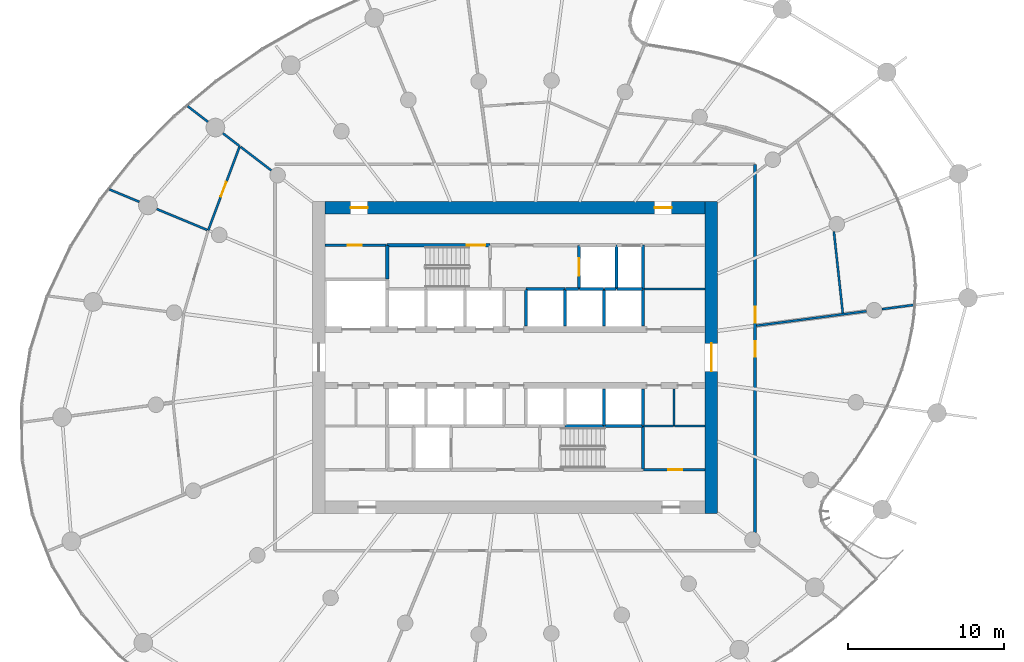
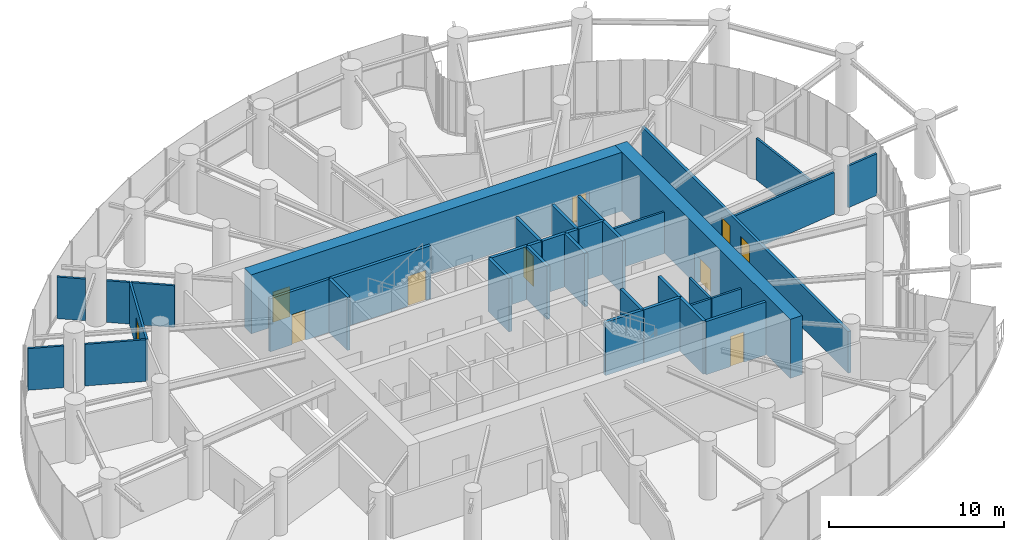
# One storey, part 16 of 21: 37 walls, 10 doors, 10 openings.
"""IFC4 building model written with IfcOpenShell, lengths in metres."""

from ifc_helpers import new_model, si_unit, direction, frame, frame_2d, origin, place, context, subcontext, project, spatial, rectangle, extrude, source, transform, mapped, material, layer, layer_set, type_object, element, fill, save


model = new_model("IFC4")

# Units and contexts
model_context = context("Model", 3, precision=1e-05, world=origin(), true_north=direction((0.0, 1.0)))
body_context = subcontext(model_context, "Body", "Model", "MODEL_VIEW")
ifc_project = project(units=[si_unit("LENGTHUNIT", "METRE"), si_unit("AREAUNIT", "SQUARE_METRE"), si_unit("VOLUMEUNIT", "CUBIC_METRE"), si_unit("PLANEANGLEUNIT", "RADIAN"), si_unit("MASSUNIT", "GRAM", prefix="KILO")], contexts=[model_context])

# Site, building, storey
site_placement = place(None, origin())
site = spatial("IfcSite", under=ifc_project, at=site_placement, CompositionType="ELEMENT")
building_placement = place(site_placement, origin())
building = spatial("IfcBuilding", under=site, at=building_placement, Name="Spindrift Exchange Tower", CompositionType="ELEMENT")
storey_placement = place(building_placement, frame((0.0, 0.0, 83.89990234375)))
storey = spatial("IfcBuildingStorey", under=building, at=storey_placement, Name="L19", CompositionType="ELEMENT", Elevation=83.89990234375)

# Wall, opening, door
ifc_material_1 = material(Name="Concrete 65 MPa", Category="concrete")
ifc_layer_1 = layer(ifc_material_1, 0.800048828125)
ifc_layer_set_1 = layer_set([ifc_layer_1], Name="RC Core Wall 800 Concrete 65 MPa")
wall_type_1 = type_object("IfcWallType", Name="RC Core Wall 800 Concrete 65 MPa", PredefinedType="SHEAR", material=ifc_layer_set_1)
wall_1_placement = place(storey_placement, frame((64.60009765625, 38.0, 0.0), z_axis=(0.0, 0.0, 1.0), x_axis=(0.0, 1.0, 0.0)))
wall_1 = element("IfcWall", 1, at=wall_1_placement, inside=storey, type_object=wall_type_1, Name="Core wall E L19", PredefinedType="SHEAR", context=body_context, shape_type="SweptSolid", body=[
    extrude(rectangle(XDim=20.0, YDim=0.800048828125, at=frame_2d((10.0, 0.0))), origin(), (0.0, 0.0, 1.0), 4.10009765625),
])
opening_1_placement = place(wall_1_placement, frame((9.10009765625, 0.0, 0.0)))
opening_1 = element("IfcOpeningElement", 2, at=opening_1_placement, cuts=wall_1, Name="Opening L19-D2", PredefinedType="OPENING", context=body_context, shape_type="SweptSolid", body=[
    extrude(rectangle(XDim=1.800048828125, YDim=2.10009765625, at=frame_2d((0.89990234375, 1.050048828125))), frame((0.0, 0.409912109375, 0.0), z_axis=(0.0, -1.0, 0.0), x_axis=(1.0, 0.0, 0.0)), (0.0, 0.0, 1.0), 0.820068359375),
])
ifc_material_2 = material(Name="Timber-core fire door", Category="wood")
door_type_1 = type_object("IfcDoorType", Name="DR-LOBBY-1800", OperationType="NOTDEFINED", PredefinedType="DOOR", material=ifc_material_2)
shared_shape_1 = source(origin(), body_context, "Body", "SweptSolid", [
    extrude(rectangle(XDim=1.800048828125, YDim=2.10009765625, at=frame_2d((0.89990234375, 1.050048828125))), frame((0.0, 0.02490234375, 0.0), z_axis=(0.0, -1.0, 0.0), x_axis=(1.0, 0.0, 0.0)), (0.0, 0.0, 1.0), 0.050048828125),
])
door_1_placement = place(opening_1_placement, origin())
door_1 = element("IfcDoor", 3, at=door_1_placement, inside=storey, type_object=door_type_1, Name="L19 Lobby door 2", OperationType="SINGLE_SWING_RIGHT", OverallHeight=2.10009765625, OverallWidth=1.800048828125, PredefinedType="DOOR", context=body_context, shape_type="MappedRepresentation", body=[
    mapped(shared_shape_1, transform((0.0, 0.0, 0.0), scale=1.0)),
])
fill(opening_1, door_1)

# Wall, openings, doors
wall_2_placement = place(storey_placement, frame((64.199951171875, 57.60009765625, 0.0), z_axis=(0.0, 0.0, 1.0), x_axis=(-1.0, 0.0, 0.0)))
wall_2 = element("IfcWall", 4, at=wall_2_placement, inside=storey, type_object=wall_type_1, Name="Core wall N L19", PredefinedType="SHEAR", context=body_context, shape_type="SweptSolid", body=[
    extrude(rectangle(XDim=24.39990234375, YDim=0.800048828125, at=frame_2d((12.199951171875, 0.0))), origin(), (0.0, 0.0, 1.0), 4.10009765625),
])
opening_2_placement = place(wall_2_placement, frame((21.64990234375, 0.0, 0.0)))
opening_2 = element("IfcOpeningElement", 5, at=opening_2_placement, cuts=wall_2, Name="Opening L19-D20", PredefinedType="OPENING", context=body_context, shape_type="SweptSolid", body=[
    extrude(rectangle(XDim=1.10009765625, YDim=2.10009765625, at=frame_2d((0.550048828125, 1.050048828125))), frame((0.0, 0.409912109375, 0.0), z_axis=(0.0, -1.0, 0.0), x_axis=(1.0, 0.0, 0.0)), (0.0, 0.0, 1.0), 0.820068359375),
])
opening_3_placement = place(wall_2_placement, frame((2.14990234375, 0.0, 0.0)))
opening_3 = element("IfcOpeningElement", 6, at=opening_3_placement, cuts=wall_2, Name="Opening L19-D21", PredefinedType="OPENING", context=body_context, shape_type="SweptSolid", body=[
    extrude(rectangle(XDim=1.10009765625, YDim=2.10009765625, at=frame_2d((0.550048828125, 1.050048828125))), frame((0.0, 0.409912109375, 0.0), z_axis=(0.0, -1.0, 0.0), x_axis=(1.0, 0.0, 0.0)), (0.0, 0.0, 1.0), 0.820068359375),
])
ifc_material_3 = material(Name="Steel fire door", Category="steel")
door_type_2 = type_object("IfcDoorType", Name="DR-STAIR-1100", OperationType="NOTDEFINED", PredefinedType="DOOR", material=ifc_material_3)
shared_shape_2 = source(origin(), body_context, "Body", "SweptSolid", [
    extrude(rectangle(XDim=1.10009765625, YDim=2.10009765625, at=frame_2d((0.550048828125, 1.050048828125))), frame((0.0, 0.02490234375, 0.0), z_axis=(0.0, -1.0, 0.0), x_axis=(1.0, 0.0, 0.0)), (0.0, 0.0, 1.0), 0.050048828125),
])
door_2_placement = place(opening_2_placement, origin())
door_2 = element("IfcDoor", 7, at=door_2_placement, inside=storey, type_object=door_type_2, Name="L19 Stair door 20", OperationType="SINGLE_SWING_RIGHT", OverallHeight=2.10009765625, OverallWidth=1.10009765625, PredefinedType="DOOR", context=body_context, shape_type="MappedRepresentation", body=[
    mapped(shared_shape_2, transform((0.0, 0.0, 0.0), scale=1.0)),
])
fill(opening_2, door_2)
door_3_placement = place(opening_3_placement, origin())
door_3 = element("IfcDoor", 8, at=door_3_placement, inside=storey, type_object=door_type_2, Name="L19 Stair door 21", OperationType="SINGLE_SWING_LEFT", OverallHeight=2.10009765625, OverallWidth=1.10009765625, PredefinedType="DOOR", context=body_context, shape_type="MappedRepresentation", body=[
    mapped(shared_shape_2, transform((0.0, 0.0, 0.0), scale=1.0)),
])
fill(opening_3, door_3)

ifc_material_4 = material(Name="Fire-rated plasterboard partition", Category="gypsum")
ifc_layer_2 = layer(ifc_material_4, 0.179931640625)
ifc_layer_set_2 = layer_set([ifc_layer_2], Name="W-CORR-180")
wall_type_2 = type_object("IfcWallType", Name="W-CORR-180", PredefinedType="PARTITIONING", material=ifc_layer_set_2)
wall_3_placement = place(storey_placement, frame((67.39990234375, 60.3701171875, 0.0), z_axis=(0.0, 0.0, 1.0), x_axis=(0.0, -1.0, 0.0)))
wall_3 = element("IfcWall", 9, at=wall_3_placement, inside=storey, type_object=wall_type_2, Name="L19 Partition wall 59", PredefinedType="PARTITIONING", context=body_context, shape_type="SweptSolid", body=[
    extrude(rectangle(XDim=23.58251953125, YDim=0.179931640625, at=frame_2d((11.791259765625, 0.0))), origin(), (0.0, 0.0, 1.0), 2.900146484375),
])
opening_4_placement = place(wall_3_placement, frame((9.132568359375, 0.0, 0.0)))
opening_4 = element("IfcOpeningElement", 10, at=opening_4_placement, cuts=wall_3, Name="Opening L19-D24", PredefinedType="OPENING", context=body_context, shape_type="SweptSolid", body=[
    extrude(rectangle(XDim=1.0, YDim=2.10009765625, at=frame_2d((0.5, 1.050048828125))), frame((0.0, 0.099853515625, 0.0), z_axis=(0.0, -1.0, 0.0), x_axis=(1.0, 0.0, 0.0)), (0.0, 0.0, 1.0), 0.199951171875),
])
opening_5_placement = place(wall_3_placement, frame((11.33251953125, 0.0, 0.0)))
opening_5 = element("IfcOpeningElement", 11, at=opening_5_placement, cuts=wall_3, Name="Opening L19-D42", PredefinedType="OPENING", context=body_context, shape_type="SweptSolid", body=[
    extrude(rectangle(XDim=1.0, YDim=2.10009765625, at=frame_2d((0.5, 1.050048828125))), frame((0.0, 0.099853515625, 0.0), z_axis=(0.0, -1.0, 0.0), x_axis=(1.0, 0.0, 0.0)), (0.0, 0.0, 1.0), 0.199951171875),
])
door_type_3 = type_object("IfcDoorType", Name="DR-ROOM-1000", OperationType="NOTDEFINED", PredefinedType="DOOR", material=ifc_material_2)
shared_shape_3 = source(origin(), body_context, "Body", "SweptSolid", [
    extrude(rectangle(XDim=1.0, YDim=2.10009765625, at=frame_2d((0.5, 1.050048828125))), frame((0.0, 0.02490234375, 0.0), z_axis=(0.0, -1.0, 0.0), x_axis=(1.0, 0.0, 0.0)), (0.0, 0.0, 1.0), 0.050048828125),
])
door_4_placement = place(opening_4_placement, origin())
door_4 = element("IfcDoor", 12, at=door_4_placement, inside=storey, type_object=door_type_3, Name="L19 Door 24", OperationType="SINGLE_SWING_RIGHT", OverallHeight=2.10009765625, OverallWidth=1.0, PredefinedType="DOOR", context=body_context, shape_type="MappedRepresentation", body=[
    mapped(shared_shape_3, transform((0.0, 0.0, 0.0), scale=1.0)),
])
fill(opening_4, door_4)
door_5_placement = place(opening_5_placement, origin())
door_5 = element("IfcDoor", 13, at=door_5_placement, inside=storey, type_object=door_type_3, Name="L19 Door 42", OperationType="SINGLE_SWING_RIGHT", OverallHeight=2.10009765625, OverallWidth=1.0, PredefinedType="DOOR", context=body_context, shape_type="MappedRepresentation", body=[
    mapped(shared_shape_3, transform((0.0, 0.0, 0.0), scale=1.0)),
])
fill(opening_5, door_5)

# Wall, opening, door
wall_4_placement = place(storey_placement, frame((60.22998046875, 40.800048828125, 0.0), z_axis=(0.0, 0.0, 1.0), x_axis=(1.0, 0.0, 0.0)))
wall_4 = element("IfcWall", 14, at=wall_4_placement, inside=storey, type_object=wall_type_2, Name="L19 Partition wall 61", PredefinedType="PARTITIONING", context=body_context, shape_type="SweptSolid", body=[
    extrude(rectangle(XDim=3.949951171875, YDim=0.179931640625, at=frame_2d((1.97509765625, 0.0))), origin(), (0.0, 0.0, 1.0), 3.7001953125),
])
opening_6_placement = place(wall_4_placement, frame((1.60009765625, 0.0, 0.0)))
opening_6 = element("IfcOpeningElement", 15, at=opening_6_placement, cuts=wall_4, Name="Opening L19-D49", PredefinedType="OPENING", context=body_context, shape_type="SweptSolid", body=[
    extrude(rectangle(XDim=0.89990234375, YDim=2.10009765625, at=frame_2d((0.449951171875, 1.050048828125))), frame((0.0, 0.099853515625, 0.0), z_axis=(0.0, -1.0, 0.0), x_axis=(1.0, 0.0, 0.0)), (0.0, 0.0, 1.0), 0.199951171875),
])
ifc_material_5 = material(Name="Steel access door", Category="steel")
door_type_4 = type_object("IfcDoorType", Name="DR-RISER-900", OperationType="NOTDEFINED", PredefinedType="DOOR", material=ifc_material_5)
shared_shape_4 = source(origin(), body_context, "Body", "SweptSolid", [
    extrude(rectangle(XDim=0.89990234375, YDim=2.10009765625, at=frame_2d((0.449951171875, 1.050048828125))), frame((0.0, 0.02490234375, 0.0), z_axis=(0.0, -1.0, 0.0), x_axis=(1.0, 0.0, 0.0)), (0.0, 0.0, 1.0), 0.050048828125),
])
door_6_placement = place(opening_6_placement, origin())
door_6 = element("IfcDoor", 16, at=door_6_placement, inside=storey, type_object=door_type_4, Name="L19 Riser door 49", OperationType="SINGLE_SWING_LEFT", OverallHeight=2.10009765625, OverallWidth=0.89990234375, PredefinedType="DOOR", context=body_context, shape_type="MappedRepresentation", body=[
    mapped(shared_shape_4, transform((0.0, 0.0, 0.0), scale=1.0)),
])
fill(opening_6, door_6)

wall_5_placement = place(storey_placement, frame((43.77001953125, 55.199951171875, 0.0), z_axis=(0.0, 0.0, 1.0), x_axis=(-1.0, 0.0, 0.0)))
wall_5 = element("IfcWall", 17, at=wall_5_placement, inside=storey, type_object=wall_type_2, Name="L19 Partition wall 64", PredefinedType="PARTITIONING", context=body_context, shape_type="SweptSolid", body=[
    extrude(rectangle(XDim=3.949951171875, YDim=0.179931640625, at=frame_2d((1.97509765625, 0.0))), origin(), (0.0, 0.0, 1.0), 3.7001953125),
])
opening_7_placement = place(wall_5_placement, frame((1.60009765625, 0.0, 0.0)))
opening_7 = element("IfcOpeningElement", 18, at=opening_7_placement, cuts=wall_5, Name="Opening L19-D43", PredefinedType="OPENING", context=body_context, shape_type="SweptSolid", body=[
    extrude(rectangle(XDim=0.89990234375, YDim=2.10009765625, at=frame_2d((0.449951171875, 1.050048828125))), frame((0.0, 0.099853515625, 0.0), z_axis=(0.0, -1.0, 0.0), x_axis=(1.0, 0.0, 0.0)), (0.0, 0.0, 1.0), 0.199951171875),
])
door_7_placement = place(opening_7_placement, origin())
door_7 = element("IfcDoor", 19, at=door_7_placement, inside=storey, type_object=door_type_4, Name="L19 Riser door 43", OperationType="SINGLE_SWING_LEFT", OverallHeight=2.10009765625, OverallWidth=0.89990234375, PredefinedType="DOOR", context=body_context, shape_type="MappedRepresentation", body=[
    mapped(shared_shape_4, transform((0.0, 0.0, 0.0), scale=1.0)),
])
fill(opening_7, door_7)

# Walls
ifc_layer_3 = layer(ifc_material_4, 0.139892578125)
ifc_layer_set_3 = layer_set([ifc_layer_3], Name="W-PART-140")
wall_type_3 = type_object("IfcWallType", Name="W-PART-140", PredefinedType="PARTITIONING", material=ifc_layer_set_3)
wall_6_placement = place(storey_placement, frame((67.489990234375, 50.039306640625, 0.0), z_axis=(0.0, 0.0, 1.0), x_axis=(0.99144622305, 0.130515848849, 0.0)))
element("IfcWall", 20, at=wall_6_placement, inside=storey, type_object=wall_type_3, Name="L19 Partition wall 66", PredefinedType="PARTITIONING", context=body_context, shape_type="SweptSolid", body=[
    extrude(rectangle(XDim=7.1044921875, YDim=0.139892578125, at=frame_2d((3.55224609375, 0.0))), origin(), (0.0, 0.0, 1.0), 2.900146484375),
])
wall_7_placement = place(storey_placement, frame((73.023681640625, 50.83837890625, 0.0), z_axis=(0.0, 0.0, 1.0), x_axis=(-0.108607218468, 0.994084740903, 0.0)))
element("IfcWall", 21, at=wall_7_placement, inside=storey, type_object=wall_type_3, Name="L19 Partition wall 75", PredefinedType="PARTITIONING", context=body_context, shape_type="SweptSolid", body=[
    extrude(rectangle(XDim=5.273681640625, YDim=0.139892578125, at=frame_2d((2.63671875, 0.0))), origin(), (0.0, 0.0, 1.0), 2.900146484375),
])
wall_8_placement = place(storey_placement, frame((64.179931640625, 52.39990234375, 0.0), z_axis=(0.0, 0.0, 1.0), x_axis=(-1.0, 0.0, 0.0)))
element("IfcWall", 22, at=wall_8_placement, inside=storey, type_object=wall_type_3, Name="L19 Partition wall 86", PredefinedType="PARTITIONING", context=body_context, shape_type="SweptSolid", body=[
    extrude(rectangle(XDim=3.949951171875, YDim=0.139892578125, at=frame_2d((1.97509765625, 0.0))), origin(), (0.0, 0.0, 1.0), 2.900146484375),
])
wall_9_placement = place(storey_placement, frame((62.199951171875, 43.60009765625, 0.0), z_axis=(0.0, 0.0, 1.0), x_axis=(0.0, 1.0, 0.0)))
element("IfcWall", 23, at=wall_9_placement, inside=storey, type_object=wall_type_3, Name="L19 Partition wall 97", PredefinedType="PARTITIONING", context=body_context, shape_type="SweptSolid", body=[
    extrude(rectangle(XDim=2.389892578125, YDim=0.139892578125, at=frame_2d((1.19482421875, 0.0))), origin(), (0.0, 0.0, 1.0), 2.900146484375),
])
wall_10_placement = place(storey_placement, frame((75.533935546875, 51.098388671875, 0.0), z_axis=(0.0, 0.0, 1.0), x_axis=(0.991447064532, 0.130509456483, 0.0)))
element("IfcWall", 24, at=wall_10_placement, inside=storey, type_object=wall_type_3, Name="L19 Partition wall 101", PredefinedType="PARTITIONING", context=body_context, shape_type="SweptSolid", body=[
    extrude(rectangle(XDim=2.06884765625, YDim=0.139892578125, at=frame_2d((1.034423828125, 0.0))), origin(), (0.0, 0.0, 1.0), 2.900146484375),
])
wall_11_placement = place(storey_placement, frame((60.22998046875, 43.60009765625, 0.0), z_axis=(0.0, 0.0, 1.0), x_axis=(1.0, 0.0, 0.0)))
element("IfcWall", 25, at=wall_11_placement, inside=storey, type_object=wall_type_3, Name="L19 Partition wall 104", PredefinedType="PARTITIONING", context=body_context, shape_type="SweptSolid", body=[
    extrude(rectangle(XDim=1.93994140625, YDim=0.139892578125, at=frame_2d((0.969970703125, 0.0))), origin(), (0.0, 0.0, 1.0), 2.900146484375),
])
wall_12_placement = place(storey_placement, frame((62.22998046875, 43.60009765625, 0.0), z_axis=(0.0, 0.0, 1.0), x_axis=(1.0, 0.0, 0.0)))
element("IfcWall", 26, at=wall_12_placement, inside=storey, type_object=wall_type_3, Name="L19 Partition wall 105", PredefinedType="PARTITIONING", context=body_context, shape_type="SweptSolid", body=[
    extrude(rectangle(XDim=1.949951171875, YDim=0.139892578125, at=frame_2d((0.97509765625, 0.0))), origin(), (0.0, 0.0, 1.0), 2.900146484375),
])

# Wall, opening, door
ifc_layer_4 = layer(ifc_material_4, 0.139892578125)
ifc_layer_set_4 = layer_set([ifc_layer_4], Name="W-PLANT-140")
wall_type_4 = type_object("IfcWallType", Name="W-PLANT-140", PredefinedType="PARTITIONING", material=ifc_layer_set_4)
wall_13_placement = place(storey_placement, frame((32.31640625, 56.1533203125, 0.0), z_axis=(0.0, 0.0, 1.0), x_axis=(0.35106774328, 0.936350062545, 0.0)))
wall_13 = element("IfcWall", 27, at=wall_13_placement, inside=storey, type_object=wall_type_4, Name="L19 Partition wall 69", PredefinedType="PARTITIONING", context=body_context, shape_type="SweptSolid", body=[
    extrude(rectangle(XDim=5.764404296875, YDim=0.139892578125, at=frame_2d((2.88232421875, 0.0))), origin(), (0.0, 0.0, 1.0), 2.900146484375),
])
opening_8_placement = place(wall_13_placement, frame((2.314697265625, 0.0, 0.0)))
opening_8 = element("IfcOpeningElement", 28, at=opening_8_placement, cuts=wall_13, Name="Opening L19-D35", PredefinedType="OPENING", context=body_context, shape_type="SweptSolid", body=[
    extrude(rectangle(XDim=1.0, YDim=2.10009765625, at=frame_2d((0.5, 1.050048828125))), frame((0.0, 0.079833984375, 0.0), z_axis=(0.0, -1.0, 0.0), x_axis=(1.0, 0.0, 0.0)), (0.0, 0.0, 1.0), 0.159912109375),
])
door_8_placement = place(opening_8_placement, origin())
door_8 = element("IfcDoor", 29, at=door_8_placement, inside=storey, type_object=door_type_3, Name="L19 Door 35", OperationType="SINGLE_SWING_LEFT", OverallHeight=2.10009765625, OverallWidth=1.0, PredefinedType="DOOR", context=body_context, shape_type="MappedRepresentation", body=[
    mapped(shared_shape_3, transform((0.0, 0.0, 0.0), scale=1.0)),
])
fill(opening_8, door_8)

# Walls
wall_14_placement = place(storey_placement, frame((33.259765625, 62.3798828125, 0.0), z_axis=(0.0, 0.0, 1.0), x_axis=(0.793352561574, -0.608762443851, 0.0)))
element("IfcWall", 30, at=wall_14_placement, inside=storey, type_object=wall_type_4, Name="L19 Partition wall 89", PredefinedType="PARTITIONING", context=body_context, shape_type="SweptSolid", body=[
    extrude(rectangle(XDim=1.331787109375, YDim=0.139892578125, at=frame_2d((0.666015625, 0.0))), origin(), (0.0, 0.0, 1.0), 2.900146484375),
])
wall_15_placement = place(storey_placement, frame((34.398193359375, 61.50634765625, 0.0), z_axis=(0.0, 0.0, 1.0), x_axis=(0.793365666671, -0.608745364621, 0.0)))
element("IfcWall", 31, at=wall_15_placement, inside=storey, type_object=wall_type_4, Name="L19 Partition wall 90", PredefinedType="PARTITIONING", context=body_context, shape_type="SweptSolid", body=[
    extrude(rectangle(XDim=2.482177734375, YDim=0.139892578125, at=frame_2d((1.2412109375, 0.0))), origin(), (0.0, 0.0, 1.0), 2.900146484375),
])
wall_16_placement = place(storey_placement, frame((32.251708984375, 56.179931640625, 0.0), z_axis=(0.0, 0.0, 1.0), x_axis=(-0.923876003825, 0.382691951257, 0.0)))
element("IfcWall", 32, at=wall_16_placement, inside=storey, type_object=wall_type_4, Name="L19 Partition wall 92", PredefinedType="PARTITIONING", context=body_context, shape_type="SweptSolid", body=[
    extrude(rectangle(XDim=3.507568359375, YDim=0.139892578125, at=frame_2d((1.75390625, 0.0))), origin(), (0.0, 0.0, 1.0), 2.900146484375),
])
wall_17_placement = place(storey_placement, frame((27.893310546875, 57.9853515625, 0.0), z_axis=(0.0, 0.0, 1.0), x_axis=(-0.923871471231, 0.382702893438, 0.0)))
element("IfcWall", 33, at=wall_17_placement, inside=storey, type_object=wall_type_4, Name="L19 Partition wall 102", PredefinedType="PARTITIONING", context=body_context, shape_type="SweptSolid", body=[
    extrude(rectangle(XDim=2.067626953125, YDim=0.139892578125, at=frame_2d((1.03369140625, 0.0))), origin(), (0.0, 0.0, 1.0), 2.900146484375),
])
wall_18_placement = place(storey_placement, frame((32.30078125, 63.11572265625, 0.0), z_axis=(0.0, 0.0, 1.0), x_axis=(-0.793364464168, 0.608746931816, 0.0)))
element("IfcWall", 34, at=wall_18_placement, inside=storey, type_object=wall_type_4, Name="L19 Partition wall 108", PredefinedType="PARTITIONING", context=body_context, shape_type="SweptSolid", body=[
    extrude(rectangle(XDim=1.64111328125, YDim=0.139892578125, at=frame_2d((0.820556640625, 0.0))), origin(), (0.0, 0.0, 1.0), 2.900146484375),
])

# Wall, opening, door
ifc_material_6 = material(Name="Concrete 40 MPa", Category="concrete")
ifc_layer_5 = layer(ifc_material_6, 0.199951171875)
ifc_layer_set_5 = layer_set([ifc_layer_5], Name="W-SHAFT-200")
wall_type_5 = type_object("IfcWallType", Name="W-SHAFT-200", PredefinedType="SOLIDWALL", material=ifc_layer_set_5)
wall_19_placement = place(storey_placement, frame((56.10009765625, 55.169921875, 0.0), z_axis=(0.0, 0.0, 1.0), x_axis=(0.0, -1.0, 0.0)))
wall_19 = element("IfcWall", 35, at=wall_19_placement, inside=storey, type_object=wall_type_5, Name="L19 Shaft wall 12", PredefinedType="SOLIDWALL", context=body_context, shape_type="SweptSolid", body=[
    extrude(rectangle(XDim=2.77001953125, YDim=0.199951171875, at=frame_2d((1.385009765625, 0.0))), origin(), (0.0, 0.0, 1.0), 3.7001953125),
])
opening_9_placement = place(wall_19_placement, frame((0.820068359375, 0.0, 0.0)))
opening_9 = element("IfcOpeningElement", 36, at=opening_9_placement, cuts=wall_19, Name="Opening L19-D9", PredefinedType="OPENING", context=body_context, shape_type="SweptSolid", body=[
    extrude(rectangle(XDim=1.10009765625, YDim=2.10009765625, at=frame_2d((0.550048828125, 1.050048828125))), frame((0.0, 0.10986328125, 0.0), z_axis=(0.0, -1.0, 0.0), x_axis=(1.0, 0.0, 0.0)), (0.0, 0.0, 1.0), 0.219970703125),
])
ifc_material_7 = material(Name="Stainless steel landing door", Category="steel")
door_type_5 = type_object("IfcDoorType", Name="DR-LANDING-1100-SL", OperationType="DOUBLE_DOOR_SLIDING", PredefinedType="USERDEFINED", material=ifc_material_7)
shared_shape_5 = source(origin(), body_context, "Body", "SweptSolid", [
    extrude(rectangle(XDim=1.10009765625, YDim=2.10009765625, at=frame_2d((0.550048828125, 1.050048828125))), frame((0.0, 0.02490234375, 0.0), z_axis=(0.0, -1.0, 0.0), x_axis=(1.0, 0.0, 0.0)), (0.0, 0.0, 1.0), 0.050048828125),
])
door_9_placement = place(opening_9_placement, origin())
door_9 = element("IfcDoor", 37, at=door_9_placement, inside=storey, type_object=door_type_5, Name="L19 Lift landing door 9", ObjectType="LANDING DOOR", OperationType="DOUBLE_DOOR_SLIDING", OverallHeight=2.10009765625, OverallWidth=1.10009765625, PredefinedType="USERDEFINED", context=body_context, shape_type="MappedRepresentation", body=[
    mapped(shared_shape_5, transform((0.0, 0.0, 0.0), scale=1.0)),
])
fill(opening_9, door_9)

# Walls
for number, where, z_axis, x_axis, name in (
    (38, (58.5, 52.39990234375, 0.0), (0.0, 0.0, 1.0), (0.0, 1.0, 0.0), "L19 Shaft wall 13"),
    (39, (60.199951171875, 52.39990234375, 0.0), (0.0, 0.0, 1.0), (0.0, 1.0, 0.0), "L19 Shaft wall 14"),
):
    element("IfcWall", number, at=place(storey_placement, frame(where, z_axis=z_axis, x_axis=x_axis)), inside=storey, type_object=wall_type_5, Name=name, PredefinedType="SOLIDWALL", context=body_context, shape_type="SweptSolid", body=[
        extrude(rectangle(XDim=2.800048828125, YDim=0.199951171875, at=frame_2d((1.39990234375, 0.0))), origin(), (0.0, 0.0, 1.0), 3.7001953125),
    ])
wall_20_placement = place(storey_placement, frame((55.199951171875, 52.39990234375, 0.0), z_axis=(0.0, 0.0, 1.0), x_axis=(-1.0, 0.0, 0.0)))
element("IfcWall", 40, at=wall_20_placement, inside=storey, type_object=wall_type_5, Name="L19 Shaft wall 18", PredefinedType="SOLIDWALL", context=body_context, shape_type="SweptSolid", body=[
    extrude(rectangle(XDim=2.5, YDim=0.199951171875, at=frame_2d((1.25, 0.0))), origin(), (0.0, 0.0, 1.0), 3.7001953125),
])
for number, where, z_axis, x_axis, name in (
    (41, (52.699951171875, 52.3701171875, 0.0), (0.0, 0.0, 1.0), (0.0, -1.0, 0.0), "L19 Shaft wall 32"),
    (42, (55.199951171875, 50.010009765625, 0.0), (0.0, 0.0, 1.0), (0.0, 1.0, 0.0), "L19 Shaft wall 34"),
):
    element("IfcWall", number, at=place(storey_placement, frame(where, z_axis=z_axis, x_axis=x_axis)), inside=storey, type_object=wall_type_5, Name=name, PredefinedType="SOLIDWALL", context=body_context, shape_type="SweptSolid", body=[
        extrude(rectangle(XDim=2.360107421875, YDim=0.199951171875, at=frame_2d((1.18017578125, 0.0))), origin(), (0.0, 0.0, 1.0), 3.7001953125),
    ])
wall_21_placement = place(storey_placement, frame((57.699951171875, 50.010009765625, 0.0), z_axis=(0.0, 0.0, 1.0), x_axis=(0.0, 1.0, 0.0)))
element("IfcWall", 43, at=wall_21_placement, inside=storey, type_object=wall_type_5, Name="L19 Shaft wall 36", PredefinedType="SOLIDWALL", context=body_context, shape_type="SweptSolid", body=[
    extrude(rectangle(XDim=2.389892578125, YDim=0.199951171875, at=frame_2d((1.19482421875, 0.0))), origin(), (0.0, 0.0, 1.0), 3.7001953125),
])
wall_22_placement = place(storey_placement, frame((60.199951171875, 50.010009765625, 0.0), z_axis=(0.0, 0.0, 1.0), x_axis=(0.0, 1.0, 0.0)))
element("IfcWall", 44, at=wall_22_placement, inside=storey, type_object=wall_type_5, Name="L19 Shaft wall 38", PredefinedType="SOLIDWALL", context=body_context, shape_type="SweptSolid", body=[
    extrude(rectangle(XDim=2.360107421875, YDim=0.199951171875, at=frame_2d((1.18017578125, 0.0))), origin(), (0.0, 0.0, 1.0), 3.7001953125),
])
wall_23_placement = place(storey_placement, frame((60.169921875, 52.39990234375, 0.0), z_axis=(0.0, 0.0, 1.0), x_axis=(-1.0, 0.0, 0.0)))
element("IfcWall", 45, at=wall_23_placement, inside=storey, type_object=wall_type_5, Name="L19 Shaft wall 42", PredefinedType="SOLIDWALL", context=body_context, shape_type="SweptSolid", body=[
    extrude(rectangle(XDim=1.639892578125, YDim=0.199951171875, at=frame_2d((0.81982421875, 0.0))), origin(), (0.0, 0.0, 1.0), 3.7001953125),
])
wall_24_placement = place(storey_placement, frame((57.669921875, 52.39990234375, 0.0), z_axis=(0.0, 0.0, 1.0), x_axis=(-1.0, 0.0, 0.0)))
element("IfcWall", 46, at=wall_24_placement, inside=storey, type_object=wall_type_5, Name="L19 Shaft wall 47", PredefinedType="SOLIDWALL", context=body_context, shape_type="SweptSolid", body=[
    extrude(rectangle(XDim=1.5400390625, YDim=0.199951171875, at=frame_2d((0.77001953125, 0.0))), origin(), (0.0, 0.0, 1.0), 3.7001953125),
])
wall_25_placement = place(storey_placement, frame((56.070068359375, 52.39990234375, 0.0), z_axis=(0.0, 0.0, 1.0), x_axis=(-1.0, 0.0, 0.0)))
element("IfcWall", 47, at=wall_25_placement, inside=storey, type_object=wall_type_5, Name="L19 Shaft wall 53", PredefinedType="SOLIDWALL", context=body_context, shape_type="SweptSolid", body=[
    extrude(rectangle(XDim=0.840087890625, YDim=0.199951171875, at=frame_2d((0.419921875, 0.0))), origin(), (0.0, 0.0, 1.0), 3.7001953125),
])
wall_26_placement = place(storey_placement, frame((58.469970703125, 52.39990234375, 0.0), z_axis=(0.0, 0.0, 1.0), x_axis=(-1.0, 0.0, 0.0)))
element("IfcWall", 48, at=wall_26_placement, inside=storey, type_object=wall_type_5, Name="L19 Shaft wall 55", PredefinedType="SOLIDWALL", context=body_context, shape_type="SweptSolid", body=[
    extrude(rectangle(XDim=0.739990234375, YDim=0.199951171875, at=frame_2d((0.3701171875, 0.0))), origin(), (0.0, 0.0, 1.0), 3.7001953125),
])

# Wall, opening, door
ifc_layer_6 = layer(ifc_material_6, 0.199951171875)
ifc_layer_set_6 = layer_set([ifc_layer_6], Name="W-SHAFT-200-LB")
wall_type_6 = type_object("IfcWallType", Name="W-SHAFT-200-LB", PredefinedType="SOLIDWALL", material=ifc_layer_set_6)
wall_27_placement = place(storey_placement, frame((50.39990234375, 55.199951171875, 0.0), z_axis=(0.0, 0.0, 1.0), x_axis=(-1.0, 0.0, 0.0)))
wall_27 = element("IfcWall", 49, at=wall_27_placement, inside=storey, type_object=wall_type_6, Name="L19 Shaft wall 1", PredefinedType="SOLIDWALL", context=body_context, shape_type="SweptSolid", body=[
    extrude(rectangle(XDim=6.599853515625, YDim=0.199951171875, at=frame_2d((3.2998046875, 0.0))), origin(), (0.0, 0.0, 1.0), 3.7001953125),
])
opening_10_placement = place(wall_27_placement, frame((0.300048828125, 0.0, 0.0)))
opening_10 = element("IfcOpeningElement", 50, at=opening_10_placement, cuts=wall_27, Name="Opening L19-D13", PredefinedType="OPENING", context=body_context, shape_type="SweptSolid", body=[
    extrude(rectangle(XDim=1.199951171875, YDim=2.10009765625, at=frame_2d((0.60009765625, 1.050048828125))), frame((0.0, 0.10986328125, 0.0), z_axis=(0.0, -1.0, 0.0), x_axis=(1.0, 0.0, 0.0)), (0.0, 0.0, 1.0), 0.219970703125),
])
door_type_6 = type_object("IfcDoorType", Name="DR-STAIR-1200", OperationType="NOTDEFINED", PredefinedType="DOOR", material=ifc_material_3)
shared_shape_6 = source(origin(), body_context, "Body", "SweptSolid", [
    extrude(rectangle(XDim=1.199951171875, YDim=2.10009765625, at=frame_2d((0.60009765625, 1.050048828125))), frame((0.0, 0.02490234375, 0.0), z_axis=(0.0, -1.0, 0.0), x_axis=(1.0, 0.0, 0.0)), (0.0, 0.0, 1.0), 0.050048828125),
])
door_10_placement = place(opening_10_placement, origin())
door_10 = element("IfcDoor", 51, at=door_10_placement, inside=storey, type_object=door_type_6, Name="L19 Stair door 13", OperationType="SINGLE_SWING_LEFT", OverallHeight=2.10009765625, OverallWidth=1.199951171875, PredefinedType="DOOR", context=body_context, shape_type="MappedRepresentation", body=[
    mapped(shared_shape_6, transform((0.0, 0.0, 0.0), scale=1.0)),
])
fill(opening_10, door_10)

# Walls
wall_28_placement = place(storey_placement, frame((60.199951171875, 40.830078125, 0.0), z_axis=(0.0, 0.0, 1.0), x_axis=(0.0, 1.0, 0.0)))
element("IfcWall", 52, at=wall_28_placement, inside=storey, type_object=wall_type_6, Name="L19 Shaft wall 10", PredefinedType="SOLIDWALL", context=body_context, shape_type="SweptSolid", body=[
    extrude(rectangle(XDim=2.77001953125, YDim=0.199951171875, at=frame_2d((1.385009765625, 0.0))), origin(), (0.0, 0.0, 1.0), 3.7001953125),
])
wall_29_placement = place(storey_placement, frame((55.199951171875, 43.60009765625, 0.0), z_axis=(0.0, 0.0, 1.0), x_axis=(1.0, 0.0, 0.0)))
element("IfcWall", 53, at=wall_29_placement, inside=storey, type_object=wall_type_6, Name="L19 Shaft wall 19", PredefinedType="SOLIDWALL", context=body_context, shape_type="SweptSolid", body=[
    extrude(rectangle(XDim=2.5, YDim=0.199951171875, at=frame_2d((1.25, 0.0))), origin(), (0.0, 0.0, 1.0), 3.7001953125),
])
wall_30_placement = place(storey_placement, frame((57.72998046875, 43.60009765625, 0.0), z_axis=(0.0, 0.0, 1.0), x_axis=(1.0, 0.0, 0.0)))
element("IfcWall", 54, at=wall_30_placement, inside=storey, type_object=wall_type_6, Name="L19 Shaft wall 20", PredefinedType="SOLIDWALL", context=body_context, shape_type="SweptSolid", body=[
    extrude(rectangle(XDim=2.43994140625, YDim=0.199951171875, at=frame_2d((1.219970703125, 0.0))), origin(), (0.0, 0.0, 1.0), 3.7001953125),
])
for number, where, z_axis, x_axis, name in (
    (55, (57.699951171875, 43.6298828125, 0.0), (0.0, 0.0, 1.0), (0.0, 1.0, 0.0), "L19 Shaft wall 35"),
    (56, (60.199951171875, 43.6298828125, 0.0), (0.0, 0.0, 1.0), (0.0, 1.0, 0.0), "L19 Shaft wall 37"),
):
    element("IfcWall", number, at=place(storey_placement, frame(where, z_axis=z_axis, x_axis=x_axis)), inside=storey, type_object=wall_type_6, Name=name, PredefinedType="SOLIDWALL", context=body_context, shape_type="SweptSolid", body=[
        extrude(rectangle(XDim=2.360107421875, YDim=0.199951171875, at=frame_2d((1.18017578125, 0.0))), origin(), (0.0, 0.0, 1.0), 3.7001953125),
    ])
wall_31_placement = place(storey_placement, frame((43.800048828125, 55.169921875, 0.0), z_axis=(0.0, 0.0, 1.0), x_axis=(0.0, -1.0, 0.0)))
element("IfcWall", 57, at=wall_31_placement, inside=storey, type_object=wall_type_6, Name="L19 Shaft wall 39", PredefinedType="SOLIDWALL", context=body_context, shape_type="SweptSolid", body=[
    extrude(rectangle(XDim=2.139892578125, YDim=0.199951171875, at=frame_2d((1.06982421875, 0.0))), origin(), (0.0, 0.0, 1.0), 3.7001953125),
])

save(model, "model.ifc")
